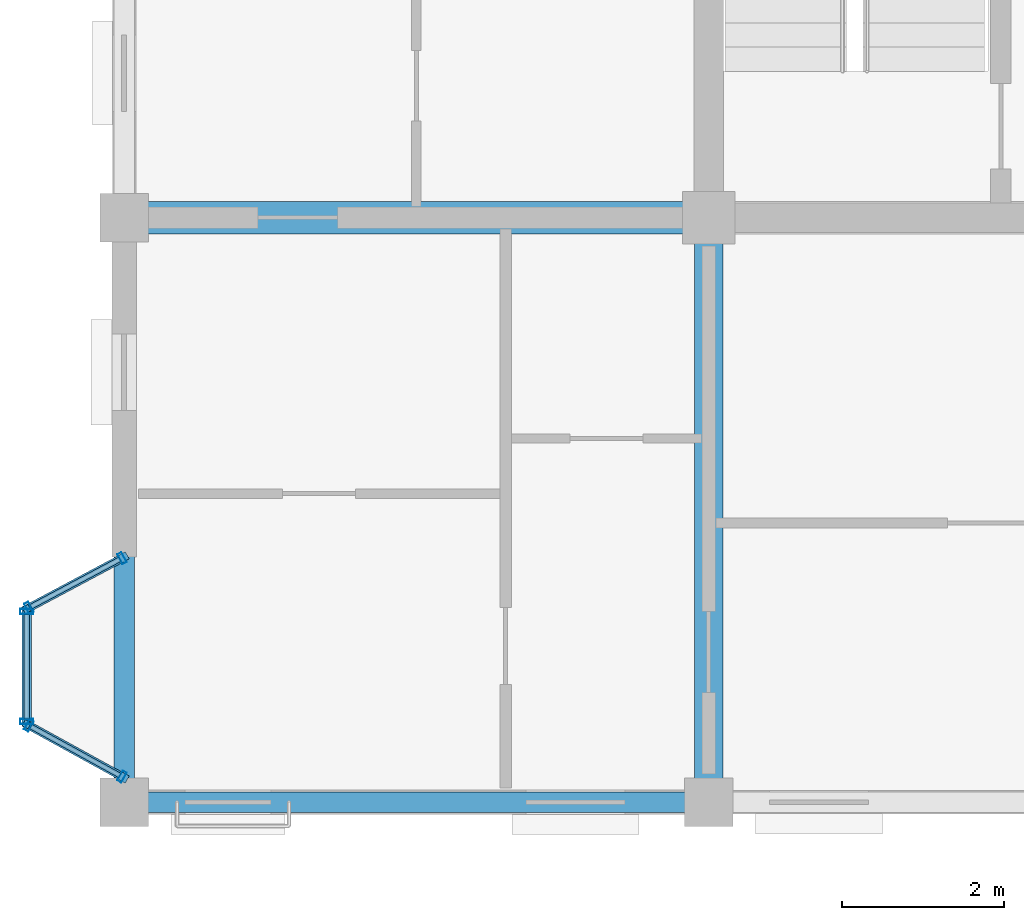
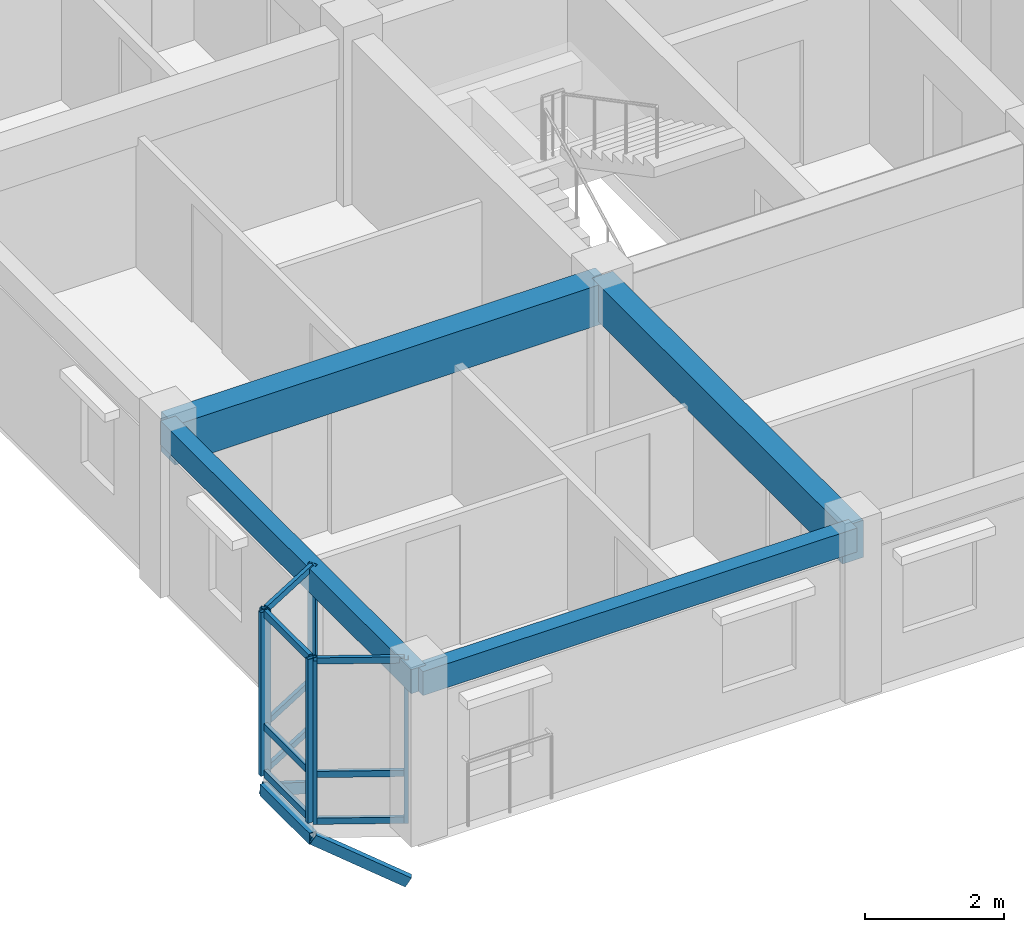
# One storey, part 2 of 124: 18 members, 4 beams, 3 elements without a shape of their own.
"""IFC4 building model written with IfcOpenShell, lengths in metres."""

from ifc_helpers import new_model, si_unit, direction, frame, origin, origin_2d, place, context, subcontext, project, spatial, rectangle, hollow_rectangle, extrude, material, layer, layer_set, material_profile, profile_set, type_object, element, aggregate, save


model = new_model("IFC4")

# Units and contexts
model_context = context("Model", 3, precision=1e-05, world=origin(), true_north=direction((0.0, 1.0)))
body_context = subcontext(model_context, "Body", "Model", "MODEL_VIEW")
ifc_project = project(units=[si_unit("LENGTHUNIT", "METRE"), si_unit("AREAUNIT", "SQUARE_METRE"), si_unit("VOLUMEUNIT", "CUBIC_METRE"), si_unit("PLANEANGLEUNIT", "RADIAN"), si_unit("MASSUNIT", "GRAM", prefix="KILO"), si_unit("THERMODYNAMICTEMPERATUREUNIT", "KELVIN"), si_unit("POWERUNIT", "WATT")], contexts=[model_context])

# Site, building, storey
site_placement = place(None, origin())
site = spatial("IfcSite", under=ifc_project, at=site_placement, CompositionType="ELEMENT")
building_placement = place(site_placement, origin())
building = spatial("IfcBuilding", under=site, at=building_placement, Name="Tavuni Mirador Residences", CompositionType="ELEMENT")
storey_placement = place(building_placement, frame((0.0, 0.0, 7.64990234375)))
storey = spatial("IfcBuildingStorey", under=building, at=storey_placement, Name="L02", CompositionType="ELEMENT", Elevation=7.64990234375)

# Beams
ifc_material_1 = material(Name="Precast concrete C40/50", Category="concrete")
ifc_material_profile_1 = material_profile(ifc_material_1, rectangle(XDim=0.35009765625, YDim=0.64990234375, at=origin_2d()), Name="PC 350x650", Category="concrete")
ifc_profile_set_1 = profile_set([ifc_material_profile_1], Name="Precast concrete C40/50")
beam_type_1 = type_object("IfcBeamType", Name="BT-B650", PredefinedType="BEAM", material=ifc_profile_set_1)
beam_1_placement = place(storey_placement, frame((10.800048828125, 7.199951171875, 2.545166015625), z_axis=(0.0, 1.0, 0.0), x_axis=(-1.0, 0.0, 0.0)))
element("IfcBeam", 1, at=beam_1_placement, inside=storey, type_object=beam_type_1, Name="BMY-BLK-A-L02-01-00", PredefinedType="BEAM", context=body_context, shape_type="SweptSolid", body=[
    extrude(rectangle(XDim=0.35009765625, YDim=0.64990234375, at=origin_2d()), origin(), (0.0, 0.0, 1.0), 7.199951171875),
])
ifc_material_profile_2 = material_profile(ifc_material_1, rectangle(XDim=0.39990234375, YDim=0.699951171875, at=origin_2d()), Name="PC 400x700", Category="concrete")
ifc_profile_set_2 = profile_set([ifc_material_profile_2], Name="Precast concrete C40/50")
beam_type_2 = type_object("IfcBeamType", Name="BT-B700", PredefinedType="BEAM", material=ifc_profile_set_2)
beam_2_placement = place(storey_placement, frame((3.60009765625, 14.39990234375, 2.52001953125), z_axis=(1.0, 0.0, 0.0), x_axis=(0.0, 1.0, 0.0)))
element("IfcBeam", 2, at=beam_2_placement, inside=storey, type_object=beam_type_2, Name="BMX-BLK-A-L02-00-01", PredefinedType="BEAM", context=body_context, shape_type="SweptSolid", body=[
    extrude(rectangle(XDim=0.39990234375, YDim=0.699951171875, at=origin_2d()), origin(), (0.0, 0.0, 1.0), 7.199951171875),
])
ifc_material_profile_3 = material_profile(ifc_material_1, rectangle(XDim=0.25, YDim=0.419921875, at=origin_2d()), Name="PC 250x420", Category="concrete")
ifc_profile_set_3 = profile_set([ifc_material_profile_3], Name="Precast concrete C40/50")
beam_type_3 = type_object("IfcBeamType", Name="BT-SP420", PredefinedType="SPANDREL", material=ifc_profile_set_3)
for number, where, z_axis, x_axis, name in (
    (3, (3.60009765625, 7.199951171875, 2.66015625), (1.0, 0.0, 0.0), (0.0, 1.0, 0.0), "BMX-BLK-A-L02-00-00"),
    (4, (3.60009765625, 7.199951171875, 2.66015625), (0.0, 1.0, 0.0), (-1.0, 0.0, 0.0), "BMY-BLK-A-L02-00-00"),
):
    element("IfcBeam", number, at=place(storey_placement, frame(where, z_axis=z_axis, x_axis=x_axis)), inside=storey, type_object=beam_type_3, Name=name, PredefinedType="SPANDREL", context=body_context, shape_type="SweptSolid", body=[
        extrude(rectangle(XDim=0.25, YDim=0.419921875, at=origin_2d()), origin(), (0.0, 0.0, 1.0), 7.199951171875),
    ])

# Curtain wall, members
ifc_material_2 = material(Name="Anodised aluminium", Category="aluminium")
ifc_layer_1 = layer(ifc_material_2, 0.175048828125, Name="Anodised aluminium", Category="aluminium")
ifc_layer_set_1 = layer_set([ifc_layer_1], Name="Anodised aluminium")
curtain_wall_type_1 = type_object("IfcCurtainWallType", Name="CWT-MIR-C", PredefinedType="NOTDEFINED", material=ifc_layer_set_1)
curtain_wall_1_placement = place(storey_placement, origin())
curtain_wall_1 = element("IfcCurtainWall", 5, at=curtain_wall_1_placement, inside=storey, type_object=curtain_wall_type_1, Name="CW-MIR-A-W1-L02-M1", PredefinedType="NOTDEFINED")
ifc_material_profile_4 = material_profile(ifc_material_2, hollow_rectangle(XDim=0.06005859375, YDim=0.139892578125, WallThickness=0.00390625, at=origin_2d()), Name="ALU 60x140x4.0", Category="aluminium")
ifc_profile_set_4 = profile_set([ifc_material_profile_4], Name="Anodised aluminium")
member_type_1 = type_object("IfcMemberType", Name="CWM-140", PredefinedType="MULLION", material=ifc_profile_set_4)
member_1_placement = place(storey_placement, frame((3.573486328125, 10.205810546875, 0.0), z_axis=(0.0, 0.0, 1.0), x_axis=(-0.882352941175, -0.470588235296, 0.0)))
member_1 = element("IfcMember", 6, at=member_1_placement, type_object=member_type_1, Name="CW-03 mullion 1", PredefinedType="MULLION", context=body_context, shape_type="SweptSolid", body=[
    extrude(hollow_rectangle(XDim=0.06005859375, YDim=0.139892578125, WallThickness=0.00390625, at=origin_2d()), origin(), (0.0, 0.0, 1.0), 2.8701171875),
])
member_2_placement = place(storey_placement, frame((2.426513671875, 9.59423828125, 0.0), z_axis=(0.0, 0.0, 1.0), x_axis=(-0.882352941175, -0.470588235296, 0.0)))
member_2 = element("IfcMember", 7, at=member_2_placement, type_object=member_type_1, Name="CW-03 mullion 2", PredefinedType="MULLION", context=body_context, shape_type="SweptSolid", body=[
    extrude(hollow_rectangle(XDim=0.06005859375, YDim=0.139892578125, WallThickness=0.00390625, at=origin_2d()), origin(), (0.0, 0.0, 1.0), 2.8701171875),
])

ifc_layer_2 = layer(ifc_material_2, 0.1650390625, Name="Anodised aluminium", Category="aluminium")
ifc_layer_set_2 = layer_set([ifc_layer_2], Name="Anodised aluminium")
curtain_wall_type_2 = type_object("IfcCurtainWallType", Name="CWT-MIR-A", PredefinedType="NOTDEFINED", material=ifc_layer_set_2)
curtain_wall_2_placement = place(storey_placement, origin())
curtain_wall_2 = element("IfcCurtainWall", 8, at=curtain_wall_2_placement, inside=storey, type_object=curtain_wall_type_2, Name="CW-MIR-A-W1-L02-M2", PredefinedType="NOTDEFINED")
member_3_placement = place(storey_placement, frame((2.42626953125, 8.1455078125, 0.0), z_axis=(0.0, 0.0, 1.0), x_axis=(0.876215908676, -0.481918749773, 0.0)))
member_3 = element("IfcMember", 9, at=member_3_placement, type_object=member_type_1, Name="CW-01 mullion 1", PredefinedType="MULLION", context=body_context, shape_type="SweptSolid", body=[
    extrude(hollow_rectangle(XDim=0.06005859375, YDim=0.139892578125, WallThickness=0.00390625, at=origin_2d()), origin(), (0.0, 0.0, 1.0), 2.8701171875),
])
member_4_placement = place(storey_placement, frame((3.57373046875, 7.514404296875, 0.0), z_axis=(0.0, 0.0, 1.0), x_axis=(0.876215908676, -0.481918749773, 0.0)))
member_4 = element("IfcMember", 10, at=member_4_placement, type_object=member_type_1, Name="CW-01 mullion 2", PredefinedType="MULLION", context=body_context, shape_type="SweptSolid", body=[
    extrude(hollow_rectangle(XDim=0.06005859375, YDim=0.139892578125, WallThickness=0.00390625, at=origin_2d()), origin(), (0.0, 0.0, 1.0), 2.8701171875),
])

ifc_layer_3 = layer(ifc_material_2, 0.159912109375, Name="Anodised aluminium", Category="aluminium")
ifc_layer_set_3 = layer_set([ifc_layer_3], Name="Anodised aluminium")
curtain_wall_type_3 = type_object("IfcCurtainWallType", Name="CWT-MIR-D", PredefinedType="NOTDEFINED", material=ifc_layer_set_3)
curtain_wall_3_placement = place(storey_placement, origin())
curtain_wall_3 = element("IfcCurtainWall", 11, at=curtain_wall_3_placement, inside=storey, type_object=curtain_wall_type_3, Name="CW-MIR-A-W1-L02-MF", PredefinedType="NOTDEFINED")
ifc_material_profile_5 = material_profile(ifc_material_2, hollow_rectangle(XDim=0.06494140625, YDim=0.1650390625, WallThickness=0.00439453125, at=origin_2d()), Name="ALU 65x165x4.5", Category="aluminium")
ifc_profile_set_5 = profile_set([ifc_material_profile_5], Name="Anodised aluminium")
member_type_2 = type_object("IfcMemberType", Name="CWM-165", PredefinedType="MULLION", material=ifc_profile_set_5)
member_5_placement = place(storey_placement, frame((2.39990234375, 9.547607421875, 0.0), z_axis=(0.0, 0.0, 1.0), x_axis=(0.0, -1.0, 0.0)))
member_5 = element("IfcMember", 12, at=member_5_placement, type_object=member_type_2, Name="CW-04 mullion 1", PredefinedType="MULLION", context=body_context, shape_type="SweptSolid", body=[
    extrude(hollow_rectangle(XDim=0.06494140625, YDim=0.1650390625, WallThickness=0.00439453125, at=origin_2d()), origin(), (0.0, 0.0, 1.0), 2.8701171875),
])
member_6_placement = place(storey_placement, frame((2.39990234375, 8.1923828125, 0.0), z_axis=(0.0, 0.0, 1.0), x_axis=(0.0, -1.0, 0.0)))
member_6 = element("IfcMember", 13, at=member_6_placement, type_object=member_type_2, Name="CW-04 mullion 2", PredefinedType="MULLION", context=body_context, shape_type="SweptSolid", body=[
    extrude(hollow_rectangle(XDim=0.06494140625, YDim=0.1650390625, WallThickness=0.00439453125, at=origin_2d()), origin(), (0.0, 0.0, 1.0), 2.8701171875),
])

# Member
ifc_material_profile_6 = material_profile(ifc_material_2, hollow_rectangle(XDim=0.06005859375, YDim=0.110107421875, WallThickness=0.00390625, at=origin_2d()), Name="ALU 60x110x4.0", Category="aluminium")
ifc_profile_set_6 = profile_set([ifc_material_profile_6], Name="Anodised aluminium")
member_type_3 = type_object("IfcMemberType", Name="CWT-110", PredefinedType="USERDEFINED", material=ifc_profile_set_6)
member_7_placement = place(storey_placement, frame((3.547119140625, 10.191650390625, 0.030029296875), z_axis=(-0.882385637708, -0.470526924168, 0.0), x_axis=(0.470526924168, -0.882385637708, 0.0)))
member_7 = element("IfcMember", 14, at=member_7_placement, type_object=member_type_3, Name="CW-03 transom 1.1", ObjectType="TRANSOM", PredefinedType="USERDEFINED", context=body_context, shape_type="SweptSolid", body=[
    extrude(hollow_rectangle(XDim=0.06005859375, YDim=0.110107421875, WallThickness=0.00390625, at=origin_2d()), origin(), (0.0, 0.0, 1.0), 1.239990234375),
])

member_8_placement = place(storey_placement, frame((3.547119140625, 10.191650390625, 0.85009765625), z_axis=(-0.882385637708, -0.470526924168, 0.0), x_axis=(0.470526924168, -0.882385637708, 0.0)))
member_8 = element("IfcMember", 15, at=member_8_placement, type_object=member_type_3, Name="CW-03 transom 1.2", ObjectType="TRANSOM", PredefinedType="USERDEFINED", context=body_context, shape_type="SweptSolid", body=[
    extrude(hollow_rectangle(XDim=0.06005859375, YDim=0.110107421875, WallThickness=0.00390625, at=origin_2d()), origin(), (0.0, 0.0, 1.0), 1.239990234375),
])

member_9_placement = place(storey_placement, frame((3.547119140625, 10.191650390625, 2.840087890625), z_axis=(-0.882385637708, -0.470526924168, 0.0), x_axis=(0.470526924168, -0.882385637708, 0.0)))
member_9 = element("IfcMember", 16, at=member_9_placement, type_object=member_type_3, Name="CW-03 transom 1.3", ObjectType="TRANSOM", PredefinedType="USERDEFINED", context=body_context, shape_type="SweptSolid", body=[
    extrude(hollow_rectangle(XDim=0.06005859375, YDim=0.110107421875, WallThickness=0.00390625, at=origin_2d()), origin(), (0.0, 0.0, 1.0), 1.239990234375),
])

aggregate(curtain_wall_1, [member_1, member_2, member_7, member_8, member_9])

member_10_placement = place(storey_placement, frame((2.45263671875, 8.131103515625, 0.030029296875), z_axis=(0.876149893798, -0.48203875736, 0.0), x_axis=(0.48203875736, 0.876149893798, 0.0)))
member_10 = element("IfcMember", 17, at=member_10_placement, type_object=member_type_3, Name="CW-01 transom 1.1", ObjectType="TRANSOM", PredefinedType="USERDEFINED", context=body_context, shape_type="SweptSolid", body=[
    extrude(hollow_rectangle(XDim=0.06005859375, YDim=0.110107421875, WallThickness=0.00390625, at=origin_2d()), origin(), (0.0, 0.0, 1.0), 1.24951171875),
])

member_11_placement = place(storey_placement, frame((2.45263671875, 8.131103515625, 0.85009765625), z_axis=(0.876149893798, -0.48203875736, 0.0), x_axis=(0.48203875736, 0.876149893798, 0.0)))
member_11 = element("IfcMember", 18, at=member_11_placement, type_object=member_type_3, Name="CW-01 transom 1.2", ObjectType="TRANSOM", PredefinedType="USERDEFINED", context=body_context, shape_type="SweptSolid", body=[
    extrude(hollow_rectangle(XDim=0.06005859375, YDim=0.110107421875, WallThickness=0.00390625, at=origin_2d()), origin(), (0.0, 0.0, 1.0), 1.24951171875),
])

member_12_placement = place(storey_placement, frame((2.45263671875, 8.131103515625, 2.840087890625), z_axis=(0.876149893798, -0.48203875736, 0.0), x_axis=(0.48203875736, 0.876149893798, 0.0)))
member_12 = element("IfcMember", 19, at=member_12_placement, type_object=member_type_3, Name="CW-01 transom 1.3", ObjectType="TRANSOM", PredefinedType="USERDEFINED", context=body_context, shape_type="SweptSolid", body=[
    extrude(hollow_rectangle(XDim=0.06005859375, YDim=0.110107421875, WallThickness=0.00390625, at=origin_2d()), origin(), (0.0, 0.0, 1.0), 1.24951171875),
])

aggregate(curtain_wall_2, [member_3, member_4, member_10, member_11, member_12])

ifc_material_profile_7 = material_profile(ifc_material_2, hollow_rectangle(XDim=0.06494140625, YDim=0.125, WallThickness=0.00439453125, at=origin_2d()), Name="ALU 65x125x4.5", Category="aluminium")
ifc_profile_set_7 = profile_set([ifc_material_profile_7], Name="Anodised aluminium")
member_type_4 = type_object("IfcMemberType", Name="CWT-125", PredefinedType="USERDEFINED", material=ifc_profile_set_7)
member_13_placement = place(storey_placement, frame((2.39990234375, 9.514892578125, 0.03271484375), z_axis=(0.0, -1.0, 0.0), x_axis=(1.0, 0.0, 0.0)))
member_13 = element("IfcMember", 20, at=member_13_placement, type_object=member_type_4, Name="CW-04 transom 1.1", ObjectType="TRANSOM", PredefinedType="USERDEFINED", context=body_context, shape_type="SweptSolid", body=[
    extrude(hollow_rectangle(XDim=0.06494140625, YDim=0.125, WallThickness=0.00439453125, at=origin_2d()), origin(), (0.0, 0.0, 1.0), 1.289794921875),
])

member_14_placement = place(storey_placement, frame((2.39990234375, 9.514892578125, 0.85009765625), z_axis=(0.0, -1.0, 0.0), x_axis=(1.0, 0.0, 0.0)))
member_14 = element("IfcMember", 21, at=member_14_placement, type_object=member_type_4, Name="CW-04 transom 1.2", ObjectType="TRANSOM", PredefinedType="USERDEFINED", context=body_context, shape_type="SweptSolid", body=[
    extrude(hollow_rectangle(XDim=0.06494140625, YDim=0.125, WallThickness=0.00439453125, at=origin_2d()), origin(), (0.0, 0.0, 1.0), 1.289794921875),
])

member_15_placement = place(storey_placement, frame((2.39990234375, 9.514892578125, 2.837646484375), z_axis=(0.0, -1.0, 0.0), x_axis=(1.0, 0.0, 0.0)))
member_15 = element("IfcMember", 22, at=member_15_placement, type_object=member_type_4, Name="CW-04 transom 1.3", ObjectType="TRANSOM", PredefinedType="USERDEFINED", context=body_context, shape_type="SweptSolid", body=[
    extrude(hollow_rectangle(XDim=0.06494140625, YDim=0.125, WallThickness=0.00439453125, at=origin_2d()), origin(), (0.0, 0.0, 1.0), 1.289794921875),
])

aggregate(curtain_wall_3, [member_5, member_6, member_13, member_14, member_15])

# Members
ifc_material_3 = material(Name="Structural steel S355", Category="steel")
ifc_material_profile_8 = material_profile(ifc_material_3, hollow_rectangle(XDim=0.10009765625, YDim=0.179931640625, WallThickness=0.008056640625, at=origin_2d()), Name="RHS 180x100x8.0", Category="steel")
ifc_profile_set_8 = profile_set([ifc_material_profile_8], Name="Structural steel S355")
member_type_5 = type_object("IfcMemberType", Name="MT-BR-RHS180", PredefinedType="BRACE", material=ifc_profile_set_8)
member_16_placement = place(storey_placement, frame((3.60009765625, 7.5, -1.0498046875), z_axis=(-0.76383874546, 0.419987007522, 0.49006253116), x_axis=(-0.481809264355, -0.876276116747, 0.0)))
element("IfcMember", 23, at=member_16_placement, inside=storey, type_object=member_type_5, Name="MBRK-MIR-A-W1-L02-1", PredefinedType="BRACE", context=body_context, shape_type="SweptSolid", body=[
    extrude(hollow_rectangle(XDim=0.10009765625, YDim=0.179931640625, WallThickness=0.008056640625, at=origin_2d()), origin(), (0.0, 0.0, 1.0), 1.5712890625),
])
member_17_placement = place(storey_placement, frame((3.60009765625, 10.219970703125, -1.0498046875), z_axis=(-0.767896193149, -0.409409260017, 0.492665702439), x_axis=(0.470467115558, -0.882417527692, 0.0)))
element("IfcMember", 24, at=member_17_placement, inside=storey, type_object=member_type_5, Name="MBRK-MIR-A-W1-L02-2", PredefinedType="BRACE", context=body_context, shape_type="SweptSolid", body=[
    extrude(hollow_rectangle(XDim=0.10009765625, YDim=0.179931640625, WallThickness=0.008056640625, at=origin_2d()), origin(), (0.0, 0.0, 1.0), 1.56298828125),
])
ifc_material_profile_9 = material_profile(ifc_material_3, hollow_rectangle(XDim=0.1201171875, YDim=0.199951171875, WallThickness=0.010009765625, at=origin_2d()), Name="RHS 200x120x10.0", Category="steel")
ifc_profile_set_9 = profile_set([ifc_material_profile_9], Name="Structural steel S355")
member_type_6 = type_object("IfcMemberType", Name="MT-ST-RHS200", PredefinedType="STRUT", material=ifc_profile_set_9)
member_18_placement = place(storey_placement, frame((2.39990234375, 8.159912109375, -0.27978515625), z_axis=(0.0, 1.0, 0.0), x_axis=(-1.0, 0.0, 0.0)))
element("IfcMember", 25, at=member_18_placement, inside=storey, type_object=member_type_6, Name="MRIM-MIR-A-W1-L02", PredefinedType="STRUT", context=body_context, shape_type="SweptSolid", body=[
    extrude(hollow_rectangle(XDim=0.1201171875, YDim=0.199951171875, WallThickness=0.010009765625, at=origin_2d()), origin(), (0.0, 0.0, 1.0), 1.420166015625),
])

save(model, "model.ifc")
